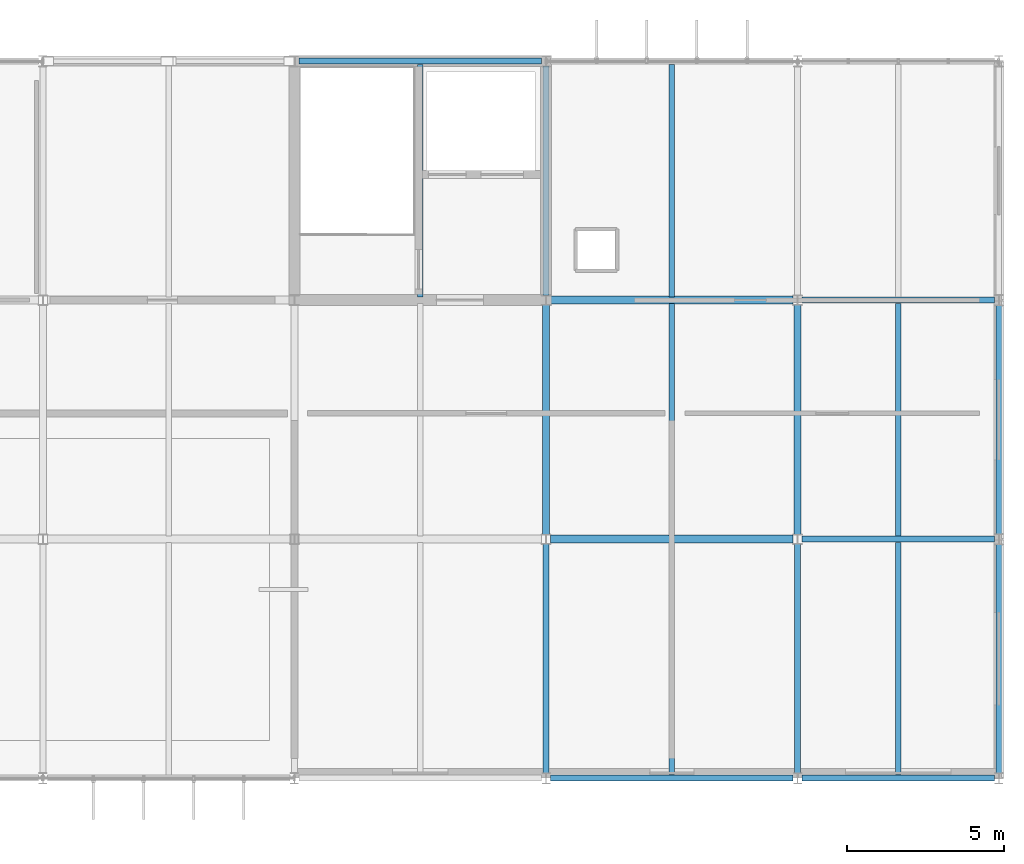
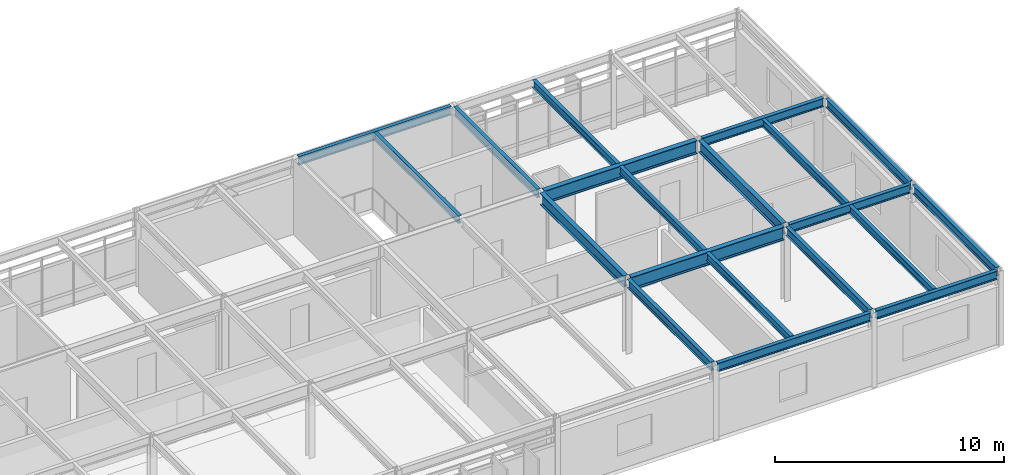
# One storey, part 10 of 17: 20 beams.
"""IFC4 building model written with IfcOpenShell, lengths in metres."""

from ifc_helpers import new_model, si_unit, direction, frame, origin, origin_2d, place, context, subcontext, project, spatial, i_section, extrude, material, material_profile, profile_set, type_object, element, save


model = new_model("IFC4")

# Units and contexts
model_context = context("Model", 3, precision=1e-05, world=origin(), true_north=direction((0.0, 1.0)))
body_context = subcontext(model_context, "Body", "Model", "MODEL_VIEW")
ifc_project = project(units=[si_unit("LENGTHUNIT", "METRE"), si_unit("AREAUNIT", "SQUARE_METRE"), si_unit("VOLUMEUNIT", "CUBIC_METRE"), si_unit("PLANEANGLEUNIT", "RADIAN"), si_unit("MASSUNIT", "GRAM", prefix="KILO")], contexts=[model_context])

# Site, building, storey
site_placement = place(None, origin())
site = spatial("IfcSite", under=ifc_project, at=site_placement, CompositionType="ELEMENT")
building_placement = place(site_placement, origin())
building = spatial("IfcBuilding", under=site, at=building_placement, Name="Zulena Civic Courthouse", CompositionType="ELEMENT")
storey_placement = place(building_placement, frame((0.0, 0.0, 42.0)))
storey = spatial("IfcBuildingStorey", under=building, at=storey_placement, Name="L09", CompositionType="ELEMENT", Elevation=42.0)

# Beams
ifc_material = material(Name="Steel ASTM A992 Grade 50", Category="steel")
ifc_material_profile_1 = material_profile(ifc_material, i_section(OverallWidth=0.22802734375, OverallDepth=0.60693359375, WebThickness=0.01123046875, FlangeThickness=0.017333984375, FilletRadius=0.0126953125, at=origin_2d()), Name="W24X76")
ifc_profile_set_1 = profile_set([ifc_material_profile_1], Name="Steel ASTM A992 Grade 50")
beam_type_1 = type_object("IfcBeamType", Name="Girder_W24X76", PredefinedType="BEAM", material=ifc_profile_set_1)
for number, where, z_axis, x_axis, name in (
    (1, (52.0, 7.7451171875, 3.69140625), (0.0, 1.0, 0.0), (-1.0, 0.0, 0.0), "beam:Y:V2:L09:52.0:7.6_15.2"),
    (2, (60.0, 7.7451171875, 3.69140625), (0.0, 1.0, 0.0), (-1.0, 0.0, 0.0), "beam:Y:V2:L09:60.0:7.6_15.2"),
):
    element("IfcBeam", number, at=place(storey_placement, frame(where, z_axis=z_axis, x_axis=x_axis)), inside=storey, type_object=beam_type_1, Name=name, PredefinedType="BEAM", context=body_context, shape_type="SweptSolid", body=[
        extrude(i_section(OverallWidth=0.22802734375, OverallDepth=0.60693359375, WebThickness=0.01123046875, FlangeThickness=0.017333984375, FilletRadius=0.0126953125, at=origin_2d()), origin(), (0.0, 0.0, 1.0), 7.309814453125),
    ])
ifc_material_profile_2 = material_profile(ifc_material, i_section(OverallWidth=0.25390625, OverallDepth=0.701904296875, WebThickness=0.015380859375, FlangeThickness=0.02783203125, FilletRadius=0.0166015625, at=origin_2d()), Name="W27X129")
ifc_profile_set_2 = profile_set([ifc_material_profile_2], Name="Steel ASTM A992 Grade 50")
beam_type_2 = type_object("IfcBeamType", Name="Girder_W27X129", PredefinedType="BEAM", material=ifc_profile_set_2)
for number, where, z_axis, x_axis, name in (
    (3, (52.14501953125, 7.60009765625, 3.64404296875), (1.0, 0.0, 0.0), (0.0, 1.0, 0.0), "beam:X:V2:L09:7.6:52.0_60.0"),
    (4, (52.14501953125, 15.199951171875, 3.64404296875), (1.0, 0.0, 0.0), (0.0, 1.0, 0.0), "beam:X:V2:L09:15.2:52.0_60.0"),
):
    element("IfcBeam", number, at=place(storey_placement, frame(where, z_axis=z_axis, x_axis=x_axis)), inside=storey, type_object=beam_type_2, Name=name, PredefinedType="BEAM", context=body_context, shape_type="SweptSolid", body=[
        extrude(i_section(OverallWidth=0.25390625, OverallDepth=0.701904296875, WebThickness=0.015380859375, FlangeThickness=0.02783203125, FilletRadius=0.0166015625, at=origin_2d()), origin(), (0.0, 0.0, 1.0), 7.7099609375),
    ])
ifc_material_profile_3 = material_profile(ifc_material, i_section(OverallWidth=0.177978515625, OverallDepth=0.406005859375, WebThickness=0.0078125, FlangeThickness=0.0126953125, FilletRadius=0.01025390625, at=origin_2d()), Name="W16X40")
ifc_profile_set_3 = profile_set([ifc_material_profile_3], Name="Steel ASTM A992 Grade 50")
beam_type_3 = type_object("IfcBeamType", Name="Joist_W16X40", PredefinedType="JOIST", material=ifc_profile_set_3)
for number, where, z_axis, x_axis, name in (
    (5, (48.0, 15.304931640625, 3.7919921875), (0.0, 1.0, 0.0), (-1.0, 0.0, 0.0), "joist:V2:L09:48.00:15.2_22.8"),
    (6, (56.0, 0.10498046875, 3.7919921875), (0.0, 1.0, 0.0), (-1.0, 0.0, 0.0), "joist:V2:L09:56.00:0.0_7.6"),
):
    element("IfcBeam", number, at=place(storey_placement, frame(where, z_axis=z_axis, x_axis=x_axis)), inside=storey, type_object=beam_type_3, Name=name, PredefinedType="JOIST", context=body_context, shape_type="SweptSolid", body=[
        extrude(i_section(OverallWidth=0.177978515625, OverallDepth=0.406005859375, WebThickness=0.0078125, FlangeThickness=0.0126953125, FilletRadius=0.01025390625, at=origin_2d()), origin(), (0.0, 0.0, 1.0), 7.39013671875),
    ])
beam_1_placement = place(storey_placement, frame((56.0, 7.705078125, 3.7919921875), z_axis=(0.0, 1.0, 0.0), x_axis=(-1.0, 0.0, 0.0)))
element("IfcBeam", 7, at=beam_1_placement, inside=storey, type_object=beam_type_3, Name="joist:V2:L09:56.00:7.6_15.2", PredefinedType="JOIST", context=body_context, shape_type="SweptSolid", body=[
    extrude(i_section(OverallWidth=0.177978515625, OverallDepth=0.406005859375, WebThickness=0.0078125, FlangeThickness=0.0126953125, FilletRadius=0.01025390625, at=origin_2d()), origin(), (0.0, 0.0, 1.0), 7.389892578125),
])
for number, where, z_axis, x_axis, name in (
    (8, (56.0, 15.304931640625, 3.7919921875), (0.0, 1.0, 0.0), (-1.0, 0.0, 0.0), "joist:V2:L09:56.00:15.2_22.8"),
    (9, (63.199951171875, 0.10498046875, 3.7919921875), (0.0, 1.0, 0.0), (-1.0, 0.0, 0.0), "joist:V2:L09:63.20:0.0_7.6"),
):
    element("IfcBeam", number, at=place(storey_placement, frame(where, z_axis=z_axis, x_axis=x_axis)), inside=storey, type_object=beam_type_3, Name=name, PredefinedType="JOIST", context=body_context, shape_type="SweptSolid", body=[
        extrude(i_section(OverallWidth=0.177978515625, OverallDepth=0.406005859375, WebThickness=0.0078125, FlangeThickness=0.0126953125, FilletRadius=0.01025390625, at=origin_2d()), origin(), (0.0, 0.0, 1.0), 7.39013671875),
    ])
beam_2_placement = place(storey_placement, frame((63.199951171875, 7.705078125, 3.7919921875), z_axis=(0.0, 1.0, 0.0), x_axis=(-1.0, 0.0, 0.0)))
element("IfcBeam", 10, at=beam_2_placement, inside=storey, type_object=beam_type_3, Name="joist:V2:L09:63.20:7.6_15.2", PredefinedType="JOIST", context=body_context, shape_type="SweptSolid", body=[
    extrude(i_section(OverallWidth=0.177978515625, OverallDepth=0.406005859375, WebThickness=0.0078125, FlangeThickness=0.0126953125, FilletRadius=0.01025390625, at=origin_2d()), origin(), (0.0, 0.0, 1.0), 7.389892578125),
])
ifc_material_profile_4 = material_profile(ifc_material, i_section(OverallWidth=0.19091796875, OverallDepth=0.4599609375, WebThickness=0.010009765625, FlangeThickness=0.01611328125, FilletRadius=0.01025390625, at=origin_2d()), Name="W18X55")
ifc_profile_set_4 = profile_set([ifc_material_profile_4], Name="Steel ASTM A992 Grade 50")
beam_type_4 = type_object("IfcBeamType", Name="Spandrel_W18X55", PredefinedType="SPANDREL", material=ifc_profile_set_4)
beam_3_placement = place(storey_placement, frame((52.14501953125, 0.0, 3.764892578125), z_axis=(1.0, 0.0, 0.0), x_axis=(0.0, 1.0, 0.0)))
element("IfcBeam", 11, at=beam_3_placement, inside=storey, type_object=beam_type_4, Name="beam:X:V2:L09:0.0:52.0_60.0", PredefinedType="SPANDREL", context=body_context, shape_type="SweptSolid", body=[
    extrude(i_section(OverallWidth=0.19091796875, OverallDepth=0.4599609375, WebThickness=0.010009765625, FlangeThickness=0.01611328125, FilletRadius=0.01025390625, at=origin_2d()), origin(), (0.0, 0.0, 1.0), 7.7099609375),
])
for number, where, z_axis, x_axis, name in (
    (12, (60.14501953125, 0.0, 3.764892578125), (1.0, 0.0, 0.0), (0.0, 1.0, 0.0), "beam:X:V2:L09:0.0:60.0_66.4"),
    (13, (60.14501953125, 7.60009765625, 3.764892578125), (1.0, 0.0, 0.0), (0.0, 1.0, 0.0), "beam:X:V2:L09:7.6:60.0_66.4"),
    (14, (60.14501953125, 15.199951171875, 3.764892578125), (1.0, 0.0, 0.0), (0.0, 1.0, 0.0), "beam:X:V2:L09:15.2:60.0_66.4"),
):
    element("IfcBeam", number, at=place(storey_placement, frame(where, z_axis=z_axis, x_axis=x_axis)), inside=storey, type_object=beam_type_4, Name=name, PredefinedType="SPANDREL", context=body_context, shape_type="SweptSolid", body=[
        extrude(i_section(OverallWidth=0.19091796875, OverallDepth=0.4599609375, WebThickness=0.010009765625, FlangeThickness=0.01611328125, FilletRadius=0.01025390625, at=origin_2d()), origin(), (0.0, 0.0, 1.0), 6.10986328125),
    ])
beam_4_placement = place(storey_placement, frame((44.14501953125, 22.800048828125, 3.764892578125), z_axis=(1.0, 0.0, 0.0), x_axis=(0.0, 1.0, 0.0)))
element("IfcBeam", 15, at=beam_4_placement, inside=storey, type_object=beam_type_4, Name="beam:X:V2:L09:22.8:44.0_52.0", PredefinedType="SPANDREL", context=body_context, shape_type="SweptSolid", body=[
    extrude(i_section(OverallWidth=0.19091796875, OverallDepth=0.4599609375, WebThickness=0.010009765625, FlangeThickness=0.01611328125, FilletRadius=0.01025390625, at=origin_2d()), origin(), (0.0, 0.0, 1.0), 7.7099609375),
])
for number, where, z_axis, x_axis, name in (
    (16, (52.0, 0.14501953125, 3.764892578125), (0.0, 1.0, 0.0), (-1.0, 0.0, 0.0), "beam:Y:V2:L09:52.0:0.0_7.6"),
    (17, (52.0, 15.344970703125, 3.764892578125), (0.0, 1.0, 0.0), (-1.0, 0.0, 0.0), "beam:Y:V2:L09:52.0:15.2_22.8"),
    (18, (60.0, 0.14501953125, 3.764892578125), (0.0, 1.0, 0.0), (-1.0, 0.0, 0.0), "beam:Y:V2:L09:60.0:0.0_7.6"),
    (19, (66.39990234375, 0.14501953125, 3.764892578125), (0.0, 1.0, 0.0), (-1.0, 0.0, 0.0), "beam:Y:V2:L09:66.4:0.0_7.6"),
):
    element("IfcBeam", number, at=place(storey_placement, frame(where, z_axis=z_axis, x_axis=x_axis)), inside=storey, type_object=beam_type_4, Name=name, PredefinedType="SPANDREL", context=body_context, shape_type="SweptSolid", body=[
        extrude(i_section(OverallWidth=0.19091796875, OverallDepth=0.4599609375, WebThickness=0.010009765625, FlangeThickness=0.01611328125, FilletRadius=0.01025390625, at=origin_2d()), origin(), (0.0, 0.0, 1.0), 7.31005859375),
    ])
beam_5_placement = place(storey_placement, frame((66.39990234375, 7.7451171875, 3.764892578125), z_axis=(0.0, 1.0, 0.0), x_axis=(-1.0, 0.0, 0.0)))
element("IfcBeam", 20, at=beam_5_placement, inside=storey, type_object=beam_type_4, Name="beam:Y:V2:L09:66.4:7.6_15.2", PredefinedType="SPANDREL", context=body_context, shape_type="SweptSolid", body=[
    extrude(i_section(OverallWidth=0.19091796875, OverallDepth=0.4599609375, WebThickness=0.010009765625, FlangeThickness=0.01611328125, FilletRadius=0.01025390625, at=origin_2d()), origin(), (0.0, 0.0, 1.0), 7.309814453125),
])

save(model, "model.ifc")
